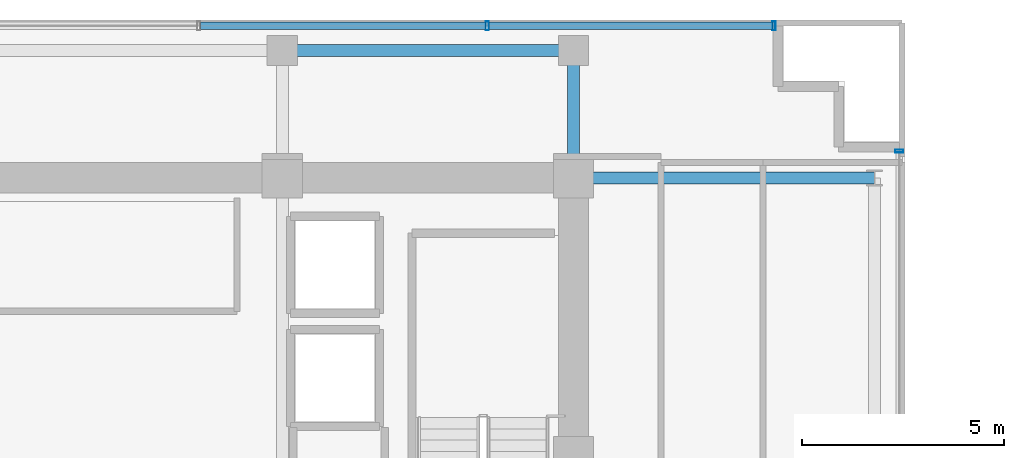
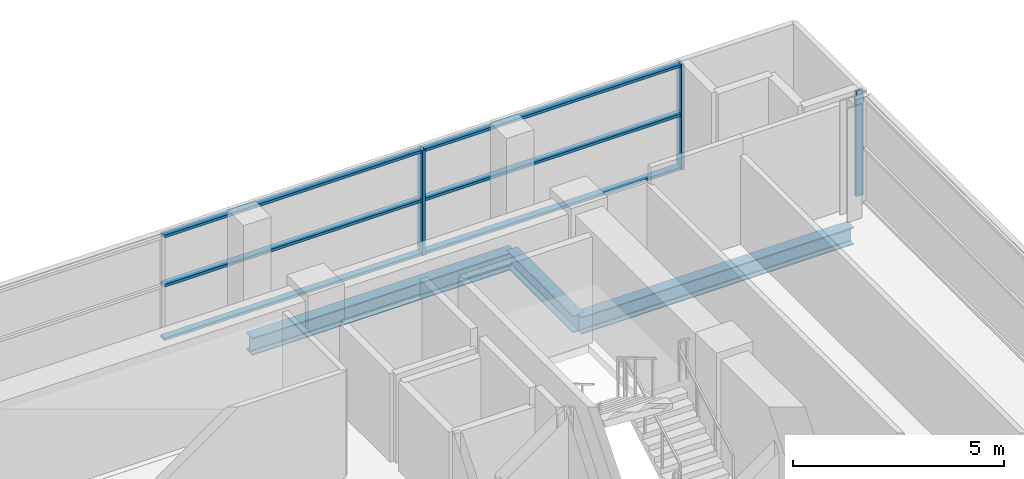
# One storey, part 15 of 23: 9 members, 3 beams, 2 elements without a shape of their own.
"""IFC4 building model written with IfcOpenShell, lengths in metres."""

from ifc_helpers import new_model, si_unit, direction, frame, origin, origin_2d, place, context, subcontext, project, spatial, hollow_rectangle, i_section, extrude, source, transform, mapped, material, layer, layer_set, material_profile, profile_set, type_object, element, aggregate, save


model = new_model("IFC4")

# Units and contexts
model_context = context("Model", 3, precision=1e-05, world=origin(), true_north=direction((0.0, 1.0)))
body_context = subcontext(model_context, "Body", "Model", "MODEL_VIEW")
ifc_project = project(units=[si_unit("LENGTHUNIT", "METRE"), si_unit("AREAUNIT", "SQUARE_METRE"), si_unit("VOLUMEUNIT", "CUBIC_METRE"), si_unit("PLANEANGLEUNIT", "RADIAN"), si_unit("MASSUNIT", "GRAM", prefix="KILO")], contexts=[model_context])

# Site, building, storey
site_placement = place(None, origin())
site = spatial("IfcSite", under=ifc_project, at=site_placement, CompositionType="ELEMENT")
building_placement = place(site_placement, origin())
building = spatial("IfcBuilding", under=site, at=building_placement, Name="Zarnakvel Exchange Tower", CompositionType="ELEMENT")
storey_placement = place(building_placement, frame((0.0, 0.0, 149.5)))
storey = spatial("IfcBuildingStorey", under=building, at=storey_placement, Name="L41", CompositionType="ELEMENT", Elevation=149.5)

# Beams
ifc_material_1 = material(Name="Steel S355", Category="steel")
ifc_material_profile_1 = material_profile(ifc_material_1, i_section(OverallWidth=0.300048828125, OverallDepth=0.5, WebThickness=0.014404296875, FlangeThickness=0.028076171875, FilletRadius=0.027099609375, at=origin_2d()))
ifc_profile_set_1 = profile_set([ifc_material_profile_1], Name="Steel S355")
beam_type_1 = type_object("IfcBeamType", Name="G-06", PredefinedType="BEAM", material=ifc_profile_set_1)
beam_1_placement = place(storey_placement, frame((14.39990234375, 13.5, -0.47509765625), z_axis=(1.0, 0.0, 0.0), x_axis=(0.0, 1.0, 0.0)))
element("IfcBeam", 1, at=beam_1_placement, inside=storey, type_object=beam_type_1, Name="L41 Tower E-W Frame Beam", PredefinedType="BEAM", context=body_context, shape_type="SweptSolid", body=[
    extrude(i_section(OverallWidth=0.300048828125, OverallDepth=0.5, WebThickness=0.014404296875, FlangeThickness=0.028076171875, FilletRadius=0.027099609375, at=origin_2d()), origin(), (0.0, 0.0, 1.0), 7.4501953125),
])
beam_2_placement = place(storey_placement, frame((14.39990234375, 13.5, -0.47509765625), z_axis=(0.0, 1.0, 0.0), x_axis=(-1.0, 0.0, 0.0)))
element("IfcBeam", 2, at=beam_2_placement, inside=storey, type_object=beam_type_1, Name="L41 Tower N-S Frame Beam", PredefinedType="BEAM", context=body_context, shape_type="SweptSolid", body=[
    extrude(i_section(OverallWidth=0.300048828125, OverallDepth=0.5, WebThickness=0.014404296875, FlangeThickness=0.028076171875, FilletRadius=0.027099609375, at=origin_2d()), origin(), (0.0, 0.0, 1.0), 3.14990234375),
])
ifc_material_profile_2 = material_profile(ifc_material_1, i_section(OverallWidth=0.300048828125, OverallDepth=0.5, WebThickness=0.014404296875, FlangeThickness=0.028076171875, FilletRadius=0.027099609375, at=origin_2d()))
ifc_profile_set_2 = profile_set([ifc_material_profile_2], Name="Steel S355")
beam_type_2 = type_object("IfcBeamType", Name="SP-02", PredefinedType="SPANDREL", material=ifc_profile_set_2)
beam_3_placement = place(storey_placement, frame((7.199951171875, 16.64990234375, -0.47509765625), z_axis=(1.0, 0.0, 0.0), x_axis=(0.0, 1.0, 0.0)))
element("IfcBeam", 3, at=beam_3_placement, inside=storey, type_object=beam_type_2, Name="L41 Tower E-W Frame Beam", PredefinedType="SPANDREL", context=body_context, shape_type="SweptSolid", body=[
    extrude(i_section(OverallWidth=0.300048828125, OverallDepth=0.5, WebThickness=0.014404296875, FlangeThickness=0.028076171875, FilletRadius=0.027099609375, at=origin_2d()), origin(), (0.0, 0.0, 1.0), 7.199951171875),
])

# Curtain wall, member
ifc_material_2 = material(Name="Architectural Bronze Anodised Aluminium", Category="aluminium")
ifc_layer_1 = layer(ifc_material_2, 0.199951171875)
ifc_layer_set_1 = layer_set([ifc_layer_1], Name="Architectural Bronze Anodised Aluminium")
curtain_wall_type_1 = type_object("IfcCurtainWallType", Name="CW-04", PredefinedType="NOTDEFINED", material=ifc_layer_set_1)
curtain_wall_1_placement = place(storey_placement, origin())
curtain_wall_1 = element("IfcCurtainWall", 4, at=curtain_wall_1_placement, inside=storey, type_object=curtain_wall_type_1, Name="L41 Curtain Wall CW-L41-EN (CW-04)", PredefinedType="NOTDEFINED")
ifc_material_profile_3 = material_profile(ifc_material_2, hollow_rectangle(XDim=0.199951171875, YDim=0.074951171875, WallThickness=0.0048828125, at=origin_2d()))
ifc_profile_set_3 = profile_set([ifc_material_profile_3], Name="Architectural Bronze Anodised Aluminium")
member_type_1 = type_object("IfcMemberType", Name="CWM-04", PredefinedType="MULLION", material=ifc_profile_set_3)
shared_shape_1 = source(origin(), body_context, "Body", "SweptSolid", [
    extrude(hollow_rectangle(XDim=0.199951171875, YDim=0.074951171875, WallThickness=0.0048828125, at=origin_2d()), origin(), (0.0, 0.0, 1.0), 3.054931640625),
])
member_1_placement = place(storey_placement, frame((22.4599609375, 14.16259765625, 0.0), z_axis=(0.0, 0.0, 1.0), x_axis=(-1.0, 0.0, 0.0)))
member_1 = element("IfcMember", 5, at=member_1_placement, type_object=member_type_1, Name="CW-04 mullion 3", PredefinedType="MULLION", context=body_context, shape_type="MappedRepresentation", body=[
    mapped(shared_shape_1, transform((0.0, 0.0, 0.0), x_axis=(1.0, 0.0, 0.0), y_axis=(0.0, 1.0, 0.0), z_axis=(0.0, 0.0, 1.0), scale=1.0)),
])
aggregate(curtain_wall_1, [member_1])

# Curtain wall, members
ifc_layer_2 = layer(ifc_material_2, 0.219970703125)
ifc_layer_set_2 = layer_set([ifc_layer_2], Name="Architectural Bronze Anodised Aluminium")
curtain_wall_type_2 = type_object("IfcCurtainWallType", Name="CW-03", PredefinedType="NOTDEFINED", material=ifc_layer_set_2)
curtain_wall_2_placement = place(storey_placement, origin())
curtain_wall_2 = element("IfcCurtainWall", 6, at=curtain_wall_2_placement, inside=storey, type_object=curtain_wall_type_2, Name="L41 Curtain Wall CW-L41-N1 (CW-03)", PredefinedType="NOTDEFINED")
ifc_material_profile_4 = material_profile(ifc_material_2, hollow_rectangle(XDim=0.219970703125, YDim=0.080078125, WallThickness=0.0048828125, at=origin_2d()))
ifc_profile_set_4 = profile_set([ifc_material_profile_4], Name="Architectural Bronze Anodised Aluminium")
member_type_2 = type_object("IfcMemberType", Name="CWM-03", PredefinedType="MULLION", material=ifc_profile_set_4)
shared_shape_2 = source(origin(), body_context, "Body", "SweptSolid", [
    extrude(hollow_rectangle(XDim=0.219970703125, YDim=0.080078125, WallThickness=0.0048828125, at=origin_2d()), origin(), (0.0, 0.0, 1.0), 3.054931640625),
])
member_2_placement = place(storey_placement, frame((12.2666015625, 17.260009765625, 0.0), z_axis=(0.0, 0.0, 1.0), x_axis=(0.0, 1.0, 0.0)))
member_2 = element("IfcMember", 7, at=member_2_placement, type_object=member_type_2, Name="CW-03 mullion 6", PredefinedType="MULLION", context=body_context, shape_type="MappedRepresentation", body=[
    mapped(shared_shape_2, transform((0.0, 0.0, 0.0), x_axis=(1.0, 0.0, 0.0), y_axis=(0.0, 1.0, 0.0), z_axis=(0.0, 0.0, 1.0), scale=1.0)),
])
member_3_placement = place(storey_placement, frame((19.360107421875, 17.260009765625, 0.0), z_axis=(0.0, 0.0, 1.0), x_axis=(0.0, 1.0, 0.0)))
member_3 = element("IfcMember", 8, at=member_3_placement, type_object=member_type_2, Name="CW-03 mullion 7", PredefinedType="MULLION", context=body_context, shape_type="MappedRepresentation", body=[
    mapped(shared_shape_2, transform((0.0, 0.0, 0.0), x_axis=(1.0, 0.0, 0.0), y_axis=(0.0, 1.0, 0.0), z_axis=(0.0, 0.0, 1.0), scale=1.0)),
])
ifc_material_profile_5 = material_profile(ifc_material_2, hollow_rectangle(XDim=0.179931640625, YDim=0.080078125, WallThickness=0.00390625, at=origin_2d()))
ifc_profile_set_5 = profile_set([ifc_material_profile_5], Name="Architectural Bronze Anodised Aluminium")
member_type_3 = type_object("IfcMemberType", Name="CWT-03", PredefinedType="USERDEFINED", material=ifc_profile_set_5)
shared_shape_3 = source(origin(), body_context, "Body", "SweptSolid", [
    extrude(hollow_rectangle(XDim=0.179931640625, YDim=0.080078125, WallThickness=0.00390625, at=origin_2d()), origin(), (0.0, 0.0, 1.0), 7.013427734375),
])
member_4_placement = place(storey_placement, frame((12.306640625, 17.260009765625, 0.0400390625), z_axis=(1.0, 0.0, 0.0), x_axis=(0.0, 1.0, 0.0)))
member_4 = element("IfcMember", 9, at=member_4_placement, type_object=member_type_3, Name="CW-03 transom 6.1", ObjectType="TRANSOM", PredefinedType="USERDEFINED", context=body_context, shape_type="MappedRepresentation", body=[
    mapped(shared_shape_3, transform((0.0, 0.0, 0.0), x_axis=(1.0, 0.0, 0.0), y_axis=(0.0, 1.0, 0.0), z_axis=(0.0, 0.0, 1.0), scale=1.0)),
])
member_5_placement = place(storey_placement, frame((12.306640625, 17.260009765625, 1.588623046875), z_axis=(1.0, 0.0, 0.0), x_axis=(0.0, 1.0, 0.0)))
member_5 = element("IfcMember", 10, at=member_5_placement, type_object=member_type_3, Name="CW-03 transom 6.2", ObjectType="TRANSOM", PredefinedType="USERDEFINED", context=body_context, shape_type="MappedRepresentation", body=[
    mapped(shared_shape_3, transform((0.0, 0.0, 0.0), x_axis=(1.0, 0.0, 0.0), y_axis=(0.0, 1.0, 0.0), z_axis=(0.0, 0.0, 1.0), scale=1.0)),
])
member_6_placement = place(storey_placement, frame((12.306640625, 17.260009765625, 3.014892578125), z_axis=(1.0, 0.0, 0.0), x_axis=(0.0, 1.0, 0.0)))
member_6 = element("IfcMember", 11, at=member_6_placement, type_object=member_type_3, Name="CW-03 transom 6.3", ObjectType="TRANSOM", PredefinedType="USERDEFINED", context=body_context, shape_type="MappedRepresentation", body=[
    mapped(shared_shape_3, transform((0.0, 0.0, 0.0), x_axis=(1.0, 0.0, 0.0), y_axis=(0.0, 1.0, 0.0), z_axis=(0.0, 0.0, 1.0), scale=1.0)),
])
shared_shape_4 = source(origin(), body_context, "Body", "SweptSolid", [
    extrude(hollow_rectangle(XDim=0.179931640625, YDim=0.080078125, WallThickness=0.00390625, at=origin_2d()), origin(), (0.0, 0.0, 1.0), 7.05322265625),
])
member_7_placement = place(storey_placement, frame((5.17333984375, 17.260009765625, 0.0400390625), z_axis=(1.0, 0.0, 0.0), x_axis=(0.0, 1.0, 0.0)))
member_7 = element("IfcMember", 12, at=member_7_placement, type_object=member_type_3, Name="CW-03 transom 5.1", ObjectType="TRANSOM", PredefinedType="USERDEFINED", context=body_context, shape_type="MappedRepresentation", body=[
    mapped(shared_shape_4, transform((0.0, 0.0, 0.0), x_axis=(1.0, 0.0, 0.0), y_axis=(0.0, 1.0, 0.0), z_axis=(0.0, 0.0, 1.0), scale=1.0)),
])
member_8_placement = place(storey_placement, frame((5.17333984375, 17.260009765625, 1.588623046875), z_axis=(1.0, 0.0, 0.0), x_axis=(0.0, 1.0, 0.0)))
member_8 = element("IfcMember", 13, at=member_8_placement, type_object=member_type_3, Name="CW-03 transom 5.2", ObjectType="TRANSOM", PredefinedType="USERDEFINED", context=body_context, shape_type="MappedRepresentation", body=[
    mapped(shared_shape_4, transform((0.0, 0.0, 0.0), x_axis=(1.0, 0.0, 0.0), y_axis=(0.0, 1.0, 0.0), z_axis=(0.0, 0.0, 1.0), scale=1.0)),
])
member_9_placement = place(storey_placement, frame((5.17333984375, 17.260009765625, 3.014892578125), z_axis=(1.0, 0.0, 0.0), x_axis=(0.0, 1.0, 0.0)))
member_9 = element("IfcMember", 14, at=member_9_placement, type_object=member_type_3, Name="CW-03 transom 5.3", ObjectType="TRANSOM", PredefinedType="USERDEFINED", context=body_context, shape_type="MappedRepresentation", body=[
    mapped(shared_shape_4, transform((0.0, 0.0, 0.0), x_axis=(1.0, 0.0, 0.0), y_axis=(0.0, 1.0, 0.0), z_axis=(0.0, 0.0, 1.0), scale=1.0)),
])
aggregate(curtain_wall_2, [member_2, member_3, member_7, member_8, member_9, member_4, member_5, member_6])

save(model, "model.ifc")
